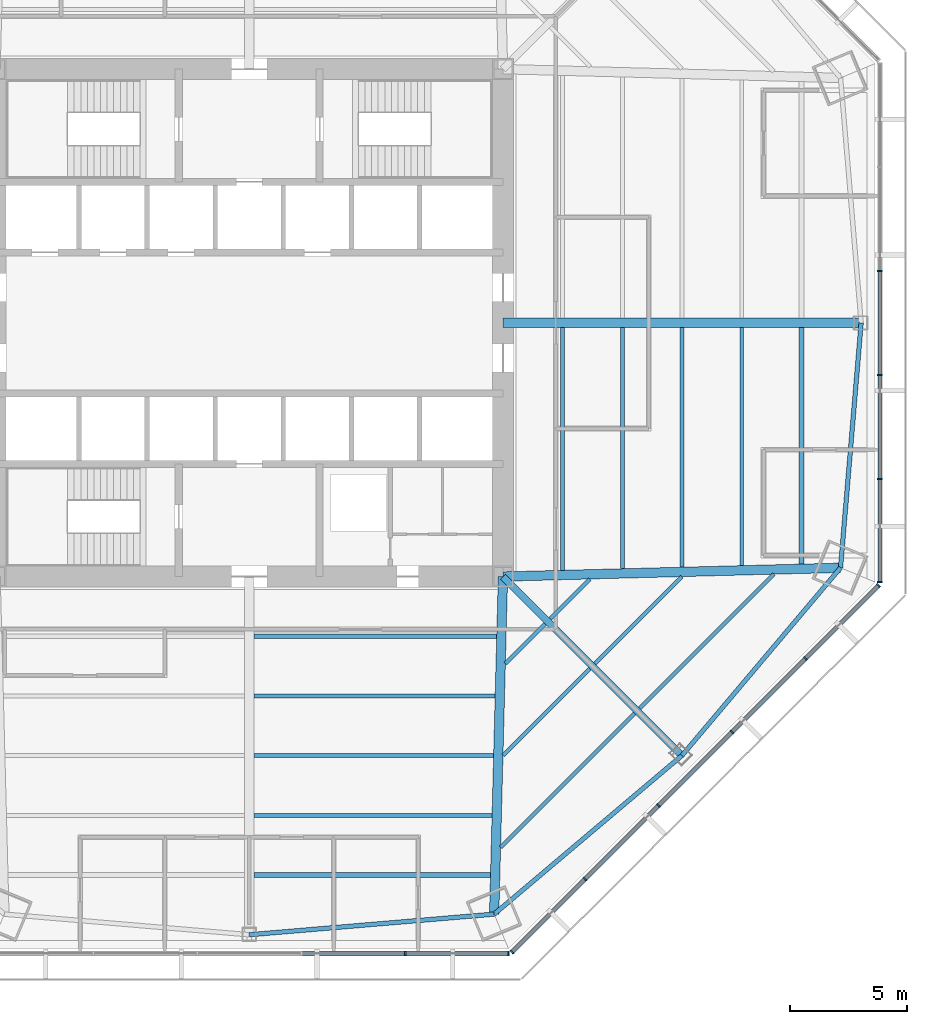
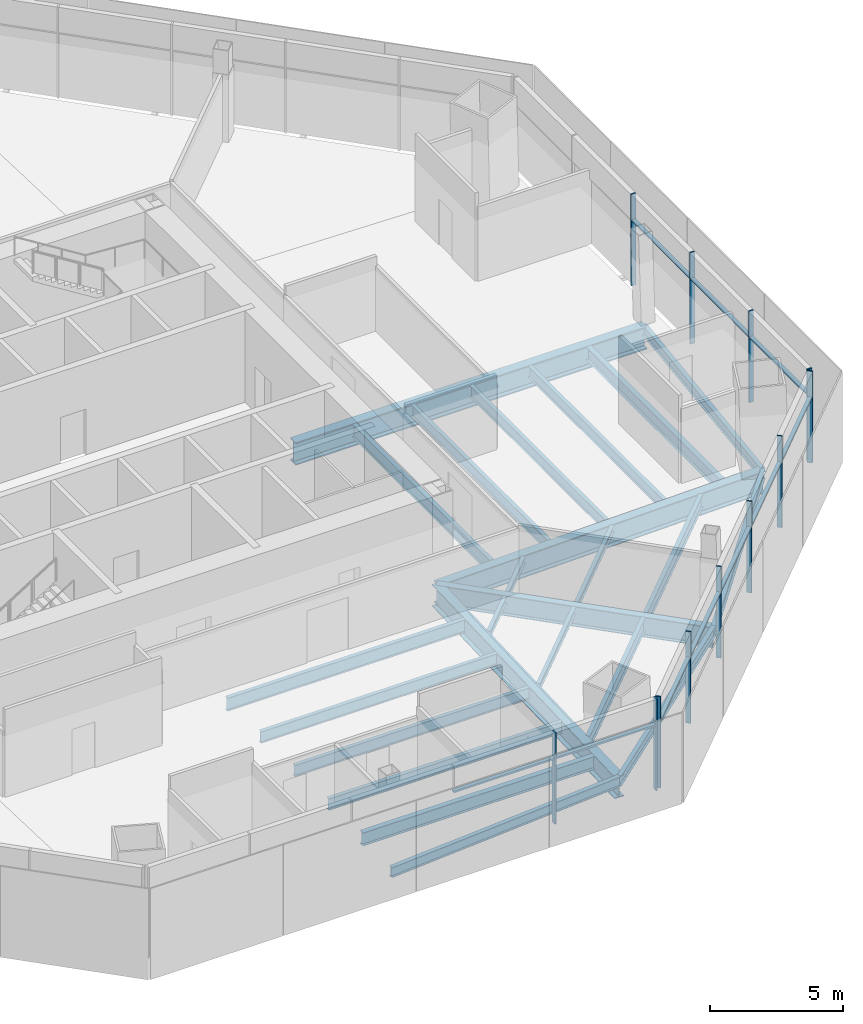
# One storey, part 3 of 14: 24 beams, 22 members, 3 elements without a shape of their own.
"""IFC4 building model written with IfcOpenShell, lengths in metres."""

from ifc_helpers import new_model, si_unit, direction, frame, origin, origin_2d, place, context, subcontext, project, spatial, rectangle, i_section, extrude, source, transform, mapped, material, material_profile, profile_set, type_object, type_shapes, element, aggregate, save


model = new_model("IFC4")

# Units and contexts
model_context = context("Model", 3, precision=1e-05, world=origin(), true_north=direction((0.0, 1.0)))
body_context = subcontext(model_context, "Body", "Model", "MODEL_VIEW")
ifc_project = project(units=[si_unit("LENGTHUNIT", "METRE"), si_unit("AREAUNIT", "SQUARE_METRE"), si_unit("VOLUMEUNIT", "CUBIC_METRE"), si_unit("PLANEANGLEUNIT", "RADIAN"), si_unit("MASSUNIT", "GRAM", prefix="KILO")], contexts=[model_context])

# Site, building, storey
site_placement = place(None, origin())
site = spatial("IfcSite", under=ifc_project, at=site_placement, CompositionType="ELEMENT")
building_placement = place(site_placement, origin())
building = spatial("IfcBuilding", under=site, at=building_placement, Name="Mashrafa Tower", CompositionType="ELEMENT")
storey_placement = place(building_placement, frame((0.0, 0.0, 41.39990234375)))
storey = spatial("IfcBuildingStorey", under=building, at=storey_placement, Name="L08", CompositionType="ELEMENT", Elevation=41.39990234375)

# Beams
ifc_material_1 = material(Name="Steel ASTM A992", Category="steel")
ifc_material_profile_1 = material_profile(ifc_material_1, i_section(OverallWidth=0.164794921875, OverallDepth=0.309814453125, WebThickness=0.005859375, FlangeThickness=0.009765625, FilletRadius=0.007568359375, at=origin_2d()), Name="W12X26")
ifc_profile_set_1 = profile_set([ifc_material_profile_1], Name="Steel ASTM A992")
beam_type_1 = type_object("IfcBeamType", Name="Beam W12X26", PredefinedType="BEAM", material=ifc_profile_set_1)
beam_1_placement = place(storey_placement, frame((12.595947265625, -12.8134765625, -0.31982421875), z_axis=(-0.707106781187, -0.707106781187, 0.0), x_axis=(0.707106781187, -0.707106781187, 0.0)))
element("IfcBeam", 1, at=beam_1_placement, inside=storey, type_object=beam_type_1, Name="Floor beam L08 046", PredefinedType="BEAM", context=body_context, shape_type="SweptSolid", body=[
    extrude(i_section(OverallWidth=0.164794921875, OverallDepth=0.309814453125, WebThickness=0.005859375, FlangeThickness=0.009765625, FilletRadius=0.007568359375, at=origin_2d()), origin(), (0.0, 0.0, 1.0), 2.392333984375),
])
beam_2_placement = place(storey_placement, frame((14.500732421875, -14.71826171875, -0.31982421875), z_axis=(-0.707106781187, -0.707106781187, 0.0), x_axis=(0.707106781187, -0.707106781187, 0.0)))
element("IfcBeam", 2, at=beam_2_placement, inside=storey, type_object=beam_type_1, Name="Floor beam L08 050", PredefinedType="BEAM", context=body_context, shape_type="SweptSolid", body=[
    extrude(i_section(OverallWidth=0.164794921875, OverallDepth=0.309814453125, WebThickness=0.005859375, FlangeThickness=0.009765625, FilletRadius=0.007568359375, at=origin_2d()), origin(), (0.0, 0.0, 1.0), 5.230224609375),
])
beam_3_placement = place(storey_placement, frame((14.505126953125, -10.904296875, -0.31982421875), z_axis=(-0.707106781187, -0.707106781187, 0.0), x_axis=(0.707106781187, -0.707106781187, 0.0)))
element("IfcBeam", 3, at=beam_3_placement, inside=storey, type_object=beam_type_1, Name="Floor beam L08 052", PredefinedType="BEAM", context=body_context, shape_type="SweptSolid", body=[
    extrude(i_section(OverallWidth=0.164794921875, OverallDepth=0.309814453125, WebThickness=0.005859375, FlangeThickness=0.009765625, FilletRadius=0.007568359375, at=origin_2d()), origin(), (0.0, 0.0, 1.0), 2.392333984375),
])
beam_4_placement = place(storey_placement, frame((18.41650390625, -10.802490234375, -0.31982421875), z_axis=(-0.707106781187, -0.707106781187, 0.0), x_axis=(0.707106781187, -0.707106781187, 0.0)))
element("IfcBeam", 4, at=beam_4_placement, inside=storey, type_object=beam_type_1, Name="Floor beam L08 059", PredefinedType="BEAM", context=body_context, shape_type="SweptSolid", body=[
    extrude(i_section(OverallWidth=0.164794921875, OverallDepth=0.309814453125, WebThickness=0.005859375, FlangeThickness=0.009765625, FilletRadius=0.007568359375, at=origin_2d()), origin(), (0.0, 0.0, 1.0), 5.230224609375),
])
ifc_material_2 = material(Name="Steel ASTM A992", Category="steel")
ifc_material_profile_2 = material_profile(ifc_material_2, i_section(OverallWidth=0.191162109375, OverallDepth=0.459716796875, WebThickness=0.010009765625, FlangeThickness=0.01611328125, FilletRadius=0.01025390625, at=origin_2d()), Name="W18X55")
ifc_profile_set_2 = profile_set([ifc_material_profile_2], Name="Steel ASTM A992")
beam_type_2 = type_object("IfcBeamType", Name="Beam W18X55", PredefinedType="BEAM", material=ifc_profile_set_2)
for number, where, z_axis, x_axis, name in (
    (5, (0.0, -26.048095703125, -0.394775390625), (0.996471336018, 0.083933762543, 0.0), (-0.083933762543, 0.996471336018, 0.0), "Spandrel beam L08 088"),
    (6, (10.42578125, -25.169921875, -0.394775390625), (0.763973678592, 0.645247408688, 0.0), (-0.645247408688, 0.763973678592, 0.0), "Spandrel beam L08 090"),
    (7, (18.4189453125, -18.4189453125, -0.394775390625), (0.645247408688, 0.763973678592, 0.0), (-0.763973678592, 0.645247408688, 0.0), "Spandrel beam L08 092"),
    (8, (25.169921875, -10.42578125, -0.394775390625), (0.083933762543, 0.996471336018, 0.0), (-0.996471336018, 0.083933762543, 0.0), "Spandrel beam L08 094"),
):
    element("IfcBeam", number, at=place(storey_placement, frame(where, z_axis=z_axis, x_axis=x_axis)), inside=storey, type_object=beam_type_2, Name=name, PredefinedType="BEAM", context=body_context, shape_type="SweptSolid", body=[
        extrude(i_section(OverallWidth=0.191162109375, OverallDepth=0.459716796875, WebThickness=0.010009765625, FlangeThickness=0.01611328125, FilletRadius=0.01025390625, at=origin_2d()), origin(), (0.0, 0.0, 1.0), 10.462646484375),
    ])
ifc_material_3 = material(Name="Steel ASTM A992", Category="steel")
ifc_material_profile_3 = material_profile(ifc_material_3, i_section(OverallWidth=0.165771484375, OverallDepth=0.5283203125, WebThickness=0.009765625, FlangeThickness=0.013671875, FilletRadius=0.012939453125, at=origin_2d()), Name="W21X50")
ifc_profile_set_3 = profile_set([ifc_material_profile_3], Name="Steel ASTM A992")
beam_type_3 = type_object("IfcBeamType", Name="Beam W21X50", PredefinedType="BEAM", material=ifc_profile_set_3)
beam_5_placement = place(storey_placement, frame((10.334716796875, -20.965576171875, -0.428955078125), z_axis=(-1.0, 0.0, 0.0), x_axis=(0.0, -1.0, 0.0)))
element("IfcBeam", 9, at=beam_5_placement, inside=storey, type_object=beam_type_3, Name="Floor beam L08 040", PredefinedType="BEAM", context=body_context, shape_type="SweptSolid", body=[
    extrude(i_section(OverallWidth=0.165771484375, OverallDepth=0.5283203125, WebThickness=0.009765625, FlangeThickness=0.013671875, FilletRadius=0.012939453125, at=origin_2d()), origin(), (0.0, 0.0, 1.0), 10.130126953125),
])
beam_6_placement = place(storey_placement, frame((10.40087890625, -18.424072265625, -0.428955078125), z_axis=(-1.0, 0.0, 0.0), x_axis=(0.0, -1.0, 0.0)))
element("IfcBeam", 10, at=beam_6_placement, inside=storey, type_object=beam_type_3, Name="Floor beam L08 042", PredefinedType="BEAM", context=body_context, shape_type="SweptSolid", body=[
    extrude(i_section(OverallWidth=0.165771484375, OverallDepth=0.5283203125, WebThickness=0.009765625, FlangeThickness=0.013671875, FilletRadius=0.012939453125, at=origin_2d()), origin(), (0.0, 0.0, 1.0), 10.1962890625),
])
for number, where, z_axis, x_axis, name in (
    (11, (10.466796875, -15.8828125, -0.428955078125), (-1.0, 0.0, 0.0), (0.0, -1.0, 0.0), "Floor beam L08 043"),
    (12, (15.8828125, -0.20458984375, -0.428955078125), (0.0, -1.0, 0.0), (1.0, 0.0, 0.0), "Floor beam L08 053"),
):
    element("IfcBeam", number, at=place(storey_placement, frame(where, z_axis=z_axis, x_axis=x_axis)), inside=storey, type_object=beam_type_3, Name=name, PredefinedType="BEAM", context=body_context, shape_type="SweptSolid", body=[
        extrude(i_section(OverallWidth=0.165771484375, OverallDepth=0.5283203125, WebThickness=0.009765625, FlangeThickness=0.013671875, FilletRadius=0.012939453125, at=origin_2d()), origin(), (0.0, 0.0, 1.0), 10.26220703125),
    ])
beam_7_placement = place(storey_placement, frame((18.424072265625, -0.20458984375, -0.428955078125), z_axis=(0.0, -1.0, 0.0), x_axis=(1.0, 0.0, 0.0)))
element("IfcBeam", 13, at=beam_7_placement, inside=storey, type_object=beam_type_3, Name="Floor beam L08 057", PredefinedType="BEAM", context=body_context, shape_type="SweptSolid", body=[
    extrude(i_section(OverallWidth=0.165771484375, OverallDepth=0.5283203125, WebThickness=0.009765625, FlangeThickness=0.013671875, FilletRadius=0.012939453125, at=origin_2d()), origin(), (0.0, 0.0, 1.0), 10.1962890625),
])
beam_8_placement = place(storey_placement, frame((20.965576171875, -0.20458984375, -0.428955078125), z_axis=(0.0, -1.0, 0.0), x_axis=(1.0, 0.0, 0.0)))
element("IfcBeam", 14, at=beam_8_placement, inside=storey, type_object=beam_type_3, Name="Floor beam L08 060", PredefinedType="BEAM", context=body_context, shape_type="SweptSolid", body=[
    extrude(i_section(OverallWidth=0.165771484375, OverallDepth=0.5283203125, WebThickness=0.009765625, FlangeThickness=0.013671875, FilletRadius=0.012939453125, at=origin_2d()), origin(), (0.0, 0.0, 1.0), 10.130126953125),
])
ifc_material_4 = material(Name="Steel ASTM A992", Category="steel")
ifc_material_profile_4 = material_profile(ifc_material_4, i_section(OverallWidth=0.177978515625, OverallDepth=0.599365234375, WebThickness=0.010009765625, FlangeThickness=0.012939453125, FilletRadius=0.012939453125, at=origin_2d()), Name="W24X55")
ifc_profile_set_4 = profile_set([ifc_material_profile_4], Name="Steel ASTM A992")
beam_type_4 = type_object("IfcBeamType", Name="Beam W24X55", PredefinedType="BEAM", material=ifc_profile_set_4)
for number, where, z_axis, x_axis, name in (
    (15, (10.533203125, -13.34130859375, -0.464599609375), (-1.0, 0.0, 0.0), (0.0, -1.0, 0.0), "Floor beam L08 045"),
    (16, (13.34130859375, -0.20458984375, -0.464599609375), (0.0, -1.0, 0.0), (1.0, 0.0, 0.0), "Floor beam L08 048"),
):
    element("IfcBeam", number, at=place(storey_placement, frame(where, z_axis=z_axis, x_axis=x_axis)), inside=storey, type_object=beam_type_4, Name=name, PredefinedType="BEAM", context=body_context, shape_type="SweptSolid", body=[
        extrude(i_section(OverallWidth=0.177978515625, OverallDepth=0.599365234375, WebThickness=0.010009765625, FlangeThickness=0.012939453125, FilletRadius=0.012939453125, at=origin_2d()), origin(), (0.0, 0.0, 1.0), 10.32861328125),
    ])
for number, where, z_axis, x_axis, name in (
    (17, (16.405517578125, -16.622802734375, -0.464599609375), (-0.707106781187, -0.707106781187, 0.0), (0.707106781187, -0.707106781187, 0.0), "Floor beam L08 055"),
    (18, (22.327880859375, -10.700439453125, -0.464599609375), (-0.707106781187, -0.707106781187, 0.0), (0.707106781187, -0.707106781187, 0.0), "Floor beam L08 062"),
):
    element("IfcBeam", number, at=place(storey_placement, frame(where, z_axis=z_axis, x_axis=x_axis)), inside=storey, type_object=beam_type_4, Name=name, PredefinedType="BEAM", context=body_context, shape_type="SweptSolid", body=[
        extrude(i_section(OverallWidth=0.177978515625, OverallDepth=0.599365234375, WebThickness=0.010009765625, FlangeThickness=0.012939453125, FilletRadius=0.012939453125, at=origin_2d()), origin(), (0.0, 0.0, 1.0), 8.068115234375),
    ])
ifc_material_5 = material(Name="Steel ASTM A992", Category="steel")
ifc_material_profile_5 = material_profile(ifc_material_5, i_section(OverallWidth=0.227783203125, OverallDepth=0.60205078125, WebThickness=0.010498046875, FlangeThickness=0.014892578125, FilletRadius=0.012939453125, at=origin_2d()), Name="W24X68")
ifc_profile_set_5 = profile_set([ifc_material_profile_5], Name="Steel ASTM A992")
beam_type_5 = type_object("IfcBeamType", Name="Beam W24X68", PredefinedType="BEAM", material=ifc_profile_set_5)
for number, where, z_axis, x_axis, name in (
    (19, (10.268310546875, -23.5068359375, -0.4658203125), (-1.0, 0.0, 0.0), (0.0, -1.0, 0.0), "Floor beam L08 038"),
    (20, (23.5068359375, -0.20458984375, -0.4658203125), (0.0, -1.0, 0.0), (1.0, 0.0, 0.0), "Floor beam L08 063"),
):
    element("IfcBeam", number, at=place(storey_placement, frame(where, z_axis=z_axis, x_axis=x_axis)), inside=storey, type_object=beam_type_5, Name=name, PredefinedType="BEAM", context=body_context, shape_type="SweptSolid", body=[
        extrude(i_section(OverallWidth=0.227783203125, OverallDepth=0.60205078125, WebThickness=0.010498046875, FlangeThickness=0.014892578125, FilletRadius=0.012939453125, at=origin_2d()), origin(), (0.0, 0.0, 1.0), 10.063720703125),
    ])
ifc_material_6 = material(Name="Steel ASTM A992", Category="steel")
ifc_material_profile_6 = material_profile(ifc_material_6, i_section(OverallWidth=0.307373046875, OverallDepth=0.927001953125, WebThickness=0.01953125, FlangeThickness=0.031982421875, FilletRadius=0.01904296875, at=origin_2d()), Name="W36X194")
ifc_profile_set_6 = profile_set([ifc_material_profile_6], Name="Steel ASTM A992")
beam_type_6 = type_object("IfcBeamType", Name="Beam W36X194", PredefinedType="BEAM", material=ifc_profile_set_6)
beam_9_placement = place(storey_placement, frame((10.800048828125, -10.800048828125, -0.62841796875), z_axis=(0.707106781187, -0.707106781187, 0.0), x_axis=(0.707106781187, 0.707106781187, 0.0)))
element("IfcBeam", 21, at=beam_9_placement, inside=storey, type_object=beam_type_6, Name="Radial girder L08 075", PredefinedType="BEAM", context=body_context, shape_type="SweptSolid", body=[
    extrude(i_section(OverallWidth=0.307373046875, OverallDepth=0.927001953125, WebThickness=0.01953125, FlangeThickness=0.031982421875, FilletRadius=0.01904296875, at=origin_2d()), origin(), (0.0, 0.0, 1.0), 10.774658203125),
])
ifc_material_7 = material(Name="Steel ASTM A992", Category="steel")
ifc_material_profile_7 = material_profile(ifc_material_7, i_section(OverallWidth=0.4013671875, OverallDepth=1.010986328125, WebThickness=0.023681640625, FlangeThickness=0.0419921875, FilletRadius=0.02001953125, at=origin_2d()), Name="W40X297")
ifc_profile_set_7 = profile_set([ifc_material_profile_7], Name="Steel ASTM A992")
beam_type_7 = type_object("IfcBeamType", Name="Beam W40X297", PredefinedType="BEAM", material=ifc_profile_set_7)
for number, where, z_axis, x_axis, name in (
    (22, (10.800048828125, -10.800048828125, -0.67041015625), (-0.02603646517, -0.999660993778, 0.0), (0.999660993778, -0.02603646517, 0.0), "Radial girder L08 074"),
    (23, (10.800048828125, -10.800048828125, -0.67041015625), (0.999660993778, 0.02603646517, 0.0), (-0.02603646517, 0.999660993778, 0.0), "Radial girder L08 076"),
):
    element("IfcBeam", number, at=place(storey_placement, frame(where, z_axis=z_axis, x_axis=x_axis)), inside=storey, type_object=beam_type_7, Name=name, PredefinedType="BEAM", context=body_context, shape_type="SweptSolid", body=[
        extrude(i_section(OverallWidth=0.4013671875, OverallDepth=1.010986328125, WebThickness=0.023681640625, FlangeThickness=0.0419921875, FilletRadius=0.02001953125, at=origin_2d()), origin(), (0.0, 0.0, 1.0), 14.374755859375),
    ])
ifc_material_8 = material(Name="Steel ASTM A992", Category="steel")
ifc_material_profile_8 = material_profile(ifc_material_8, i_section(OverallWidth=0.408935546875, OverallDepth=1.04150390625, WebThickness=0.031005859375, FlangeThickness=0.055908203125, FilletRadius=0.020263671875, at=origin_2d()), Name="W40X397")
ifc_profile_set_8 = profile_set([ifc_material_profile_8], Name="Steel ASTM A992")
beam_type_8 = type_object("IfcBeamType", Name="Beam W40X397", PredefinedType="BEAM", material=ifc_profile_set_8)
beam_10_placement = place(storey_placement, frame((10.800048828125, 0.0, -0.685546875), z_axis=(1.0, 0.0, 0.0), x_axis=(0.0, 1.0, 0.0)))
element("IfcBeam", 24, at=beam_10_placement, inside=storey, type_object=beam_type_8, Name="Radial girder L08 077", PredefinedType="BEAM", context=body_context, shape_type="SweptSolid", body=[
    extrude(i_section(OverallWidth=0.408935546875, OverallDepth=1.04150390625, WebThickness=0.031005859375, FlangeThickness=0.055908203125, FilletRadius=0.020263671875, at=origin_2d()), origin(), (0.0, 0.0, 1.0), 15.248046875),
])

# Curtain wall, members
ifc_material_9 = material(Name="Unitised aluminium curtain wall", Category="aluminium")
curtain_wall_type = type_object("IfcCurtainWallType", Name="Office curtain wall, zone 1 CW-A 200 deep", PredefinedType="NOTDEFINED", material=ifc_material_9)
curtain_wall_1_placement = place(storey_placement, origin())
curtain_wall_1 = element("IfcCurtainWall", 25, at=curtain_wall_1_placement, inside=storey, type_object=curtain_wall_type, Name="Office curtain wall, zone 1 L08 east", PredefinedType="NOTDEFINED")
ifc_material_10 = material(Name="Extruded aluminium mullion", Category="aluminium")
ifc_material_profile_9 = material_profile(ifc_material_10, rectangle(XDim=0.199951171875, YDim=0.06494140625, at=origin_2d()), Name="Mullion 65x200")
ifc_profile_set_9 = profile_set([ifc_material_profile_9], Name="Extruded aluminium mullion")
member_type_1 = type_object("IfcMemberType", Name="Mullion CW-A 65 x 200", PredefinedType="MULLION", material=ifc_profile_set_9)
shared_shape_1 = source(origin(), body_context, "Body", "SweptSolid", [
    extrude(rectangle(XDim=0.199951171875, YDim=0.06494140625, at=origin_2d()), origin(), (0.0, 0.0, 1.0), 4.2001953125),
])
type_shapes(member_type_1, [shared_shape_1])
member_1_placement = place(storey_placement, frame((26.843505859375, -11.03515625, 0.0), z_axis=(0.0, 0.0, 1.0), x_axis=(-1.0, 0.0, 0.0)))
member_1 = element("IfcMember", 26, at=member_1_placement, type_object=member_type_1, Name="CW-A mullion 1", PredefinedType="MULLION", context=body_context, shape_type="MappedRepresentation", body=[
    mapped(shared_shape_1, transform((0.0, 0.0, 0.0))),
])
member_2_placement = place(storey_placement, frame((26.843505859375, -6.640625, 0.0), z_axis=(0.0, 0.0, 1.0), x_axis=(-1.0, 0.0, 0.0)))
member_2 = element("IfcMember", 27, at=member_2_placement, type_object=member_type_1, Name="CW-A mullion 2", PredefinedType="MULLION", context=body_context, shape_type="MappedRepresentation", body=[
    mapped(shared_shape_1, transform((0.0, 0.0, 0.0))),
])
member_3_placement = place(storey_placement, frame((26.843505859375, -2.213623046875, 0.0), z_axis=(0.0, 0.0, 1.0), x_axis=(-1.0, 0.0, 0.0)))
member_3 = element("IfcMember", 28, at=member_3_placement, type_object=member_type_1, Name="CW-A mullion 3", PredefinedType="MULLION", context=body_context, shape_type="MappedRepresentation", body=[
    mapped(shared_shape_1, transform((0.0, 0.0, 0.0))),
])
member_4_placement = place(storey_placement, frame((26.843505859375, 2.213623046875, 0.0), z_axis=(0.0, 0.0, 1.0), x_axis=(-1.0, 0.0, 0.0)))
member_4 = element("IfcMember", 29, at=member_4_placement, type_object=member_type_1, Name="CW-A mullion 4", PredefinedType="MULLION", context=body_context, shape_type="MappedRepresentation", body=[
    mapped(shared_shape_1, transform((0.0, 0.0, 0.0))),
])

curtain_wall_2_placement = place(storey_placement, origin())
curtain_wall_2 = element("IfcCurtainWall", 30, at=curtain_wall_2_placement, inside=storey, type_object=curtain_wall_type, Name="Office curtain wall, zone 1 L08 south", PredefinedType="NOTDEFINED")
member_5_placement = place(storey_placement, frame((6.640625, -26.843505859375, 0.0), z_axis=(0.0, 0.0, 1.0), x_axis=(0.0, 1.0, 0.0)))
member_5 = element("IfcMember", 31, at=member_5_placement, type_object=member_type_1, Name="CW-A mullion 5", PredefinedType="MULLION", context=body_context, shape_type="MappedRepresentation", body=[
    mapped(shared_shape_1, transform((0.0, 0.0, 0.0))),
])
member_6_placement = place(storey_placement, frame((11.03515625, -26.843505859375, 0.0), z_axis=(0.0, 0.0, 1.0), x_axis=(0.0, 1.0, 0.0)))
member_6 = element("IfcMember", 32, at=member_6_placement, type_object=member_type_1, Name="CW-A mullion 6", PredefinedType="MULLION", context=body_context, shape_type="MappedRepresentation", body=[
    mapped(shared_shape_1, transform((0.0, 0.0, 0.0))),
])

curtain_wall_3_placement = place(storey_placement, origin())
curtain_wall_3 = element("IfcCurtainWall", 33, at=curtain_wall_3_placement, inside=storey, type_object=curtain_wall_type, Name="Office curtain wall, zone 1 L08 south-east", PredefinedType="NOTDEFINED")
member_7_placement = place(storey_placement, frame((11.17822265625, -26.7841796875, 0.0), z_axis=(0.0, 0.0, 1.0), x_axis=(-0.707106781187, 0.707106781187, 0.0)))
member_7 = element("IfcMember", 34, at=member_7_placement, type_object=member_type_1, Name="CW-A mullion 1", PredefinedType="MULLION", context=body_context, shape_type="MappedRepresentation", body=[
    mapped(shared_shape_1, transform((0.0, 0.0, 0.0))),
])
member_8_placement = place(storey_placement, frame((14.28564453125, -23.6767578125, 0.0), z_axis=(0.0, 0.0, 1.0), x_axis=(-0.707106781187, 0.707106781187, 0.0)))
member_8 = element("IfcMember", 35, at=member_8_placement, type_object=member_type_1, Name="CW-A mullion 2", PredefinedType="MULLION", context=body_context, shape_type="MappedRepresentation", body=[
    mapped(shared_shape_1, transform((0.0, 0.0, 0.0))),
])
member_9_placement = place(storey_placement, frame((17.416015625, -20.54638671875, 0.0), z_axis=(0.0, 0.0, 1.0), x_axis=(-0.707106781187, 0.707106781187, 0.0)))
member_9 = element("IfcMember", 36, at=member_9_placement, type_object=member_type_1, Name="CW-A mullion 3", PredefinedType="MULLION", context=body_context, shape_type="MappedRepresentation", body=[
    mapped(shared_shape_1, transform((0.0, 0.0, 0.0))),
])
member_10_placement = place(storey_placement, frame((20.54638671875, -17.416015625, 0.0), z_axis=(0.0, 0.0, 1.0), x_axis=(-0.707106781187, 0.707106781187, 0.0)))
member_10 = element("IfcMember", 37, at=member_10_placement, type_object=member_type_1, Name="CW-A mullion 4", PredefinedType="MULLION", context=body_context, shape_type="MappedRepresentation", body=[
    mapped(shared_shape_1, transform((0.0, 0.0, 0.0))),
])
member_11_placement = place(storey_placement, frame((23.6767578125, -14.28564453125, 0.0), z_axis=(0.0, 0.0, 1.0), x_axis=(-0.707106781187, 0.707106781187, 0.0)))
member_11 = element("IfcMember", 38, at=member_11_placement, type_object=member_type_1, Name="CW-A mullion 5", PredefinedType="MULLION", context=body_context, shape_type="MappedRepresentation", body=[
    mapped(shared_shape_1, transform((0.0, 0.0, 0.0))),
])
member_12_placement = place(storey_placement, frame((26.7841796875, -11.17822265625, 0.0), z_axis=(0.0, 0.0, 1.0), x_axis=(-0.707106781187, 0.707106781187, 0.0)))
member_12 = element("IfcMember", 39, at=member_12_placement, type_object=member_type_1, Name="CW-A mullion 6", PredefinedType="MULLION", context=body_context, shape_type="MappedRepresentation", body=[
    mapped(shared_shape_1, transform((0.0, 0.0, 0.0))),
])

# Member
ifc_material_11 = material(Name="Extruded aluminium transom", Category="aluminium")
ifc_material_profile_10 = material_profile(ifc_material_11, rectangle(XDim=0.159912109375, YDim=0.080078125, at=origin_2d()), Name="Transom 80x160")
ifc_profile_set_10 = profile_set([ifc_material_profile_10], Name="Extruded aluminium transom")
member_type_2 = type_object("IfcMemberType", Name="Transom CW-A 80 x 160", PredefinedType="MULLION", material=ifc_profile_set_10)
shared_shape_2 = source(origin(), body_context, "Body", "SweptSolid", [
    extrude(rectangle(XDim=0.159912109375, YDim=0.080078125, at=origin_2d()), origin(), (0.0, 0.0, 1.0), 4.329345703125),
])
member_13_placement = place(storey_placement, frame((26.843505859375, -11.00244140625, 3.0), z_axis=(0.0, 1.0, 0.0), x_axis=(-1.0, 0.0, 0.0)))
member_13 = element("IfcMember", 40, at=member_13_placement, type_object=member_type_2, Name="CW-A transom 1", PredefinedType="MULLION", context=body_context, shape_type="MappedRepresentation", body=[
    mapped(shared_shape_2, transform((0.0, 0.0, 0.0))),
])

member_14_placement = place(storey_placement, frame((6.673095703125, -26.843505859375, 3.0), z_axis=(1.0, 0.0, 0.0), x_axis=(0.0, 1.0, 0.0)))
member_14 = element("IfcMember", 41, at=member_14_placement, type_object=member_type_2, Name="CW-A transom 5", PredefinedType="MULLION", context=body_context, shape_type="MappedRepresentation", body=[
    mapped(shared_shape_2, transform((0.0, 0.0, 0.0))),
])

shared_shape_3 = source(origin(), body_context, "Body", "SweptSolid", [
    extrude(rectangle(XDim=0.159912109375, YDim=0.080078125, at=origin_2d()), origin(), (0.0, 0.0, 1.0), 4.36181640625),
])
member_15_placement = place(storey_placement, frame((26.843505859375, -6.60791015625, 3.0), z_axis=(0.0, 1.0, 0.0), x_axis=(-1.0, 0.0, 0.0)))
member_15 = element("IfcMember", 42, at=member_15_placement, type_object=member_type_2, Name="CW-A transom 2", PredefinedType="MULLION", context=body_context, shape_type="MappedRepresentation", body=[
    mapped(shared_shape_3, transform((0.0, 0.0, 0.0))),
])

member_16_placement = place(storey_placement, frame((26.843505859375, -2.180908203125, 3.0), z_axis=(0.0, 1.0, 0.0), x_axis=(-1.0, 0.0, 0.0)))
member_16 = element("IfcMember", 43, at=member_16_placement, type_object=member_type_2, Name="CW-A transom 3", PredefinedType="MULLION", context=body_context, shape_type="MappedRepresentation", body=[
    mapped(shared_shape_3, transform((0.0, 0.0, 0.0))),
])

aggregate(curtain_wall_1, [member_1, member_2, member_3, member_4, member_13, member_15, member_16])

member_17_placement = place(storey_placement, frame((2.24609375, -26.843505859375, 3.0), z_axis=(1.0, 0.0, 0.0), x_axis=(0.0, 1.0, 0.0)))
member_17 = element("IfcMember", 44, at=member_17_placement, type_object=member_type_2, Name="CW-A transom 4", PredefinedType="MULLION", context=body_context, shape_type="MappedRepresentation", body=[
    mapped(shared_shape_3, transform((0.0, 0.0, 0.0))),
])

aggregate(curtain_wall_2, [member_5, member_6, member_17, member_14])

shared_shape_4 = source(origin(), body_context, "Body", "SweptSolid", [
    extrude(rectangle(XDim=0.159912109375, YDim=0.080078125, at=origin_2d()), origin(), (0.0, 0.0, 1.0), 4.32958984375),
])
member_18_placement = place(storey_placement, frame((11.201171875, -26.76123046875, 3.0), z_axis=(0.707106781187, 0.707106781187, 0.0), x_axis=(-0.707106781187, 0.707106781187, 0.0)))
member_18 = element("IfcMember", 45, at=member_18_placement, type_object=member_type_2, Name="CW-A transom 1", PredefinedType="MULLION", context=body_context, shape_type="MappedRepresentation", body=[
    mapped(shared_shape_4, transform((0.0, 0.0, 0.0))),
])

member_19_placement = place(storey_placement, frame((23.69970703125, -14.2626953125, 3.0), z_axis=(0.707106781187, 0.707106781187, 0.0), x_axis=(-0.707106781187, 0.707106781187, 0.0)))
member_19 = element("IfcMember", 46, at=member_19_placement, type_object=member_type_2, Name="CW-A transom 5", PredefinedType="MULLION", context=body_context, shape_type="MappedRepresentation", body=[
    mapped(shared_shape_4, transform((0.0, 0.0, 0.0))),
])

shared_shape_5 = source(origin(), body_context, "Body", "SweptSolid", [
    extrude(rectangle(XDim=0.159912109375, YDim=0.080078125, at=origin_2d()), origin(), (0.0, 0.0, 1.0), 4.362060546875),
])
type_shapes(member_type_2, [shared_shape_2, shared_shape_3, shared_shape_4, shared_shape_5])
member_20_placement = place(storey_placement, frame((14.30859375, -23.65380859375, 3.0), z_axis=(0.707106781187, 0.707106781187, 0.0), x_axis=(-0.707106781187, 0.707106781187, 0.0)))
member_20 = element("IfcMember", 47, at=member_20_placement, type_object=member_type_2, Name="CW-A transom 2", PredefinedType="MULLION", context=body_context, shape_type="MappedRepresentation", body=[
    mapped(shared_shape_5, transform((0.0, 0.0, 0.0))),
])

member_21_placement = place(storey_placement, frame((17.43896484375, -20.5234375, 3.0), z_axis=(0.707106781187, 0.707106781187, 0.0), x_axis=(-0.707106781187, 0.707106781187, 0.0)))
member_21 = element("IfcMember", 48, at=member_21_placement, type_object=member_type_2, Name="CW-A transom 3", PredefinedType="MULLION", context=body_context, shape_type="MappedRepresentation", body=[
    mapped(shared_shape_5, transform((0.0, 0.0, 0.0))),
])

member_22_placement = place(storey_placement, frame((20.5693359375, -17.39306640625, 3.0), z_axis=(0.707106781187, 0.707106781187, 0.0), x_axis=(-0.707106781187, 0.707106781187, 0.0)))
member_22 = element("IfcMember", 49, at=member_22_placement, type_object=member_type_2, Name="CW-A transom 4", PredefinedType="MULLION", context=body_context, shape_type="MappedRepresentation", body=[
    mapped(shared_shape_5, transform((0.0, 0.0, 0.0))),
])

aggregate(curtain_wall_3, [member_7, member_8, member_9, member_10, member_11, member_12, member_18, member_20, member_21, member_22, member_19])

save(model, "model.ifc")
